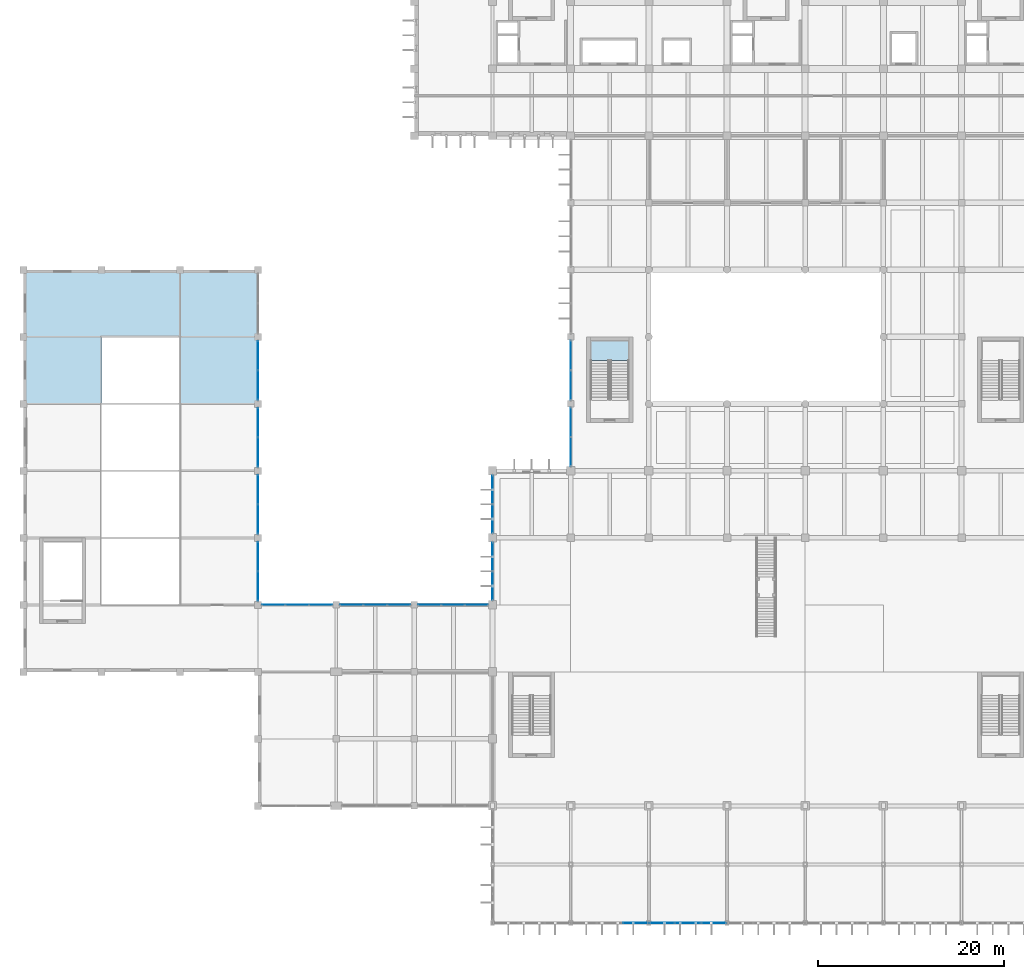
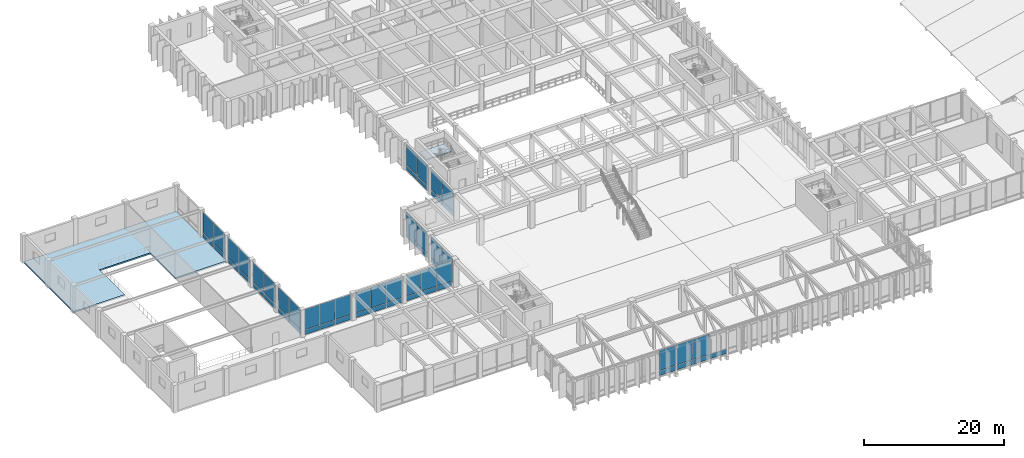
# One storey, part 27 of 51: 57 plates, 2 slabs, 14 elements without a shape of their own.
"""IFC4 building model written with IfcOpenShell, lengths in metres."""

import ifcopenshell
import ifcopenshell.guid

model = None  # the IFC model being written
_history = None  # IfcOwnerHistory: only IFC2X3 demands one
_inside = {}  # id of a spatial element -> (the spatial element, [elements in it])
_under = {}  # id of a project, library or spatial element -> (it, [spatial elements below it])
_declared = {}  # id of a project -> (the project, [libraries it declares])
_typed = {}  # id of a type object -> (the type object, [elements of that type])
_made_of = {}  # id of a material, layer set ... -> (it, [elements and type objects made of it])


def new_model(schema):
    """Start an empty IFC model of exactly this schema.

    Asked for "IFC4X3", IfcOpenShell would pick the latest addendum, in which some entities
    have other attributes; the version numbers below select the first issue.
    IFC2X3 requires an IfcOwnerHistory on every rooted entity: one is made here for all.
    """
    global model, _history
    if schema == "IFC4X3":
        model = ifcopenshell.file(schema_version=(4, 3, 0, 0))
    else:
        model = ifcopenshell.file(schema=schema)
    _inside.clear()
    _under.clear()
    _declared.clear()
    _typed.clear()
    _made_of.clear()
    _history = None
    if model.schema == "IFC2X3":
        org = make("IfcOrganization", Name="unknown")
        user = make(
            "IfcPersonAndOrganization",
            ThePerson=make("IfcPerson", FamilyName="unknown"),
            TheOrganization=org,
        )
        app = make(
            "IfcApplication",
            ApplicationDeveloper=org,
            Version="unknown",
            ApplicationFullName="unknown",
            ApplicationIdentifier="unknown",
        )
        _history = make(
            "IfcOwnerHistory",
            OwningUser=user,
            OwningApplication=app,
            ChangeAction="ADDED",
            CreationDate=0,
        )
    return model


def make(cls, **values):
    """One entity of the class cls with the attributes given. An attribute that is None is left unset."""
    return model.create_entity(
        cls, **{name: value for name, value in values.items() if value is not None}
    )


def rooted(cls, **values):
    """An entity with a GlobalId (a new one), such as an element, a storey or a relation."""
    return make(cls, GlobalId=ifcopenshell.guid.new(), OwnerHistory=_history, **values)


def si_unit(unit_type, name, prefix=None):
    """IfcSIUnit, for example si_unit("LENGTHUNIT", "METRE", prefix="MILLI")."""
    return make("IfcSIUnit", UnitType=unit_type, Prefix=prefix, Name=name)


def assignment(units):
    """IfcUnitAssignment: the units of a project."""
    return None if units is None else make("IfcUnitAssignment", Units=units)


def point(xyz):
    """IfcCartesianPoint."""
    return None if xyz is None else make("IfcCartesianPoint", Coordinates=xyz)


def direction(xyz):
    """IfcDirection."""
    return None if xyz is None else make("IfcDirection", DirectionRatios=xyz)


def frame(location, z_axis=None, x_axis=None):
    """IfcAxis2Placement3D, a coordinate frame: its origin and axes. An axis left out is left unset."""
    return make(
        "IfcAxis2Placement3D",
        Location=point(location),
        Axis=direction(z_axis),
        RefDirection=direction(x_axis),
    )


def frame_2d(location, x_axis=None):
    """IfcAxis2Placement2D, a coordinate frame in the plane: its origin and x axis."""
    return make(
        "IfcAxis2Placement2D", Location=point(location), RefDirection=direction(x_axis)
    )


def origin():
    """The frame at (0, 0, 0) with its axes left unset."""
    return frame((0.0, 0.0, 0.0))


def origin_2d():
    """The frame at (0, 0) in the plane with its x axis left unset."""
    return frame_2d((0.0, 0.0))


def place(relative_to, where):
    """IfcLocalPlacement: puts the frame where relative to a parent placement (None: the world)."""
    return make(
        "IfcLocalPlacement", PlacementRelTo=relative_to, RelativePlacement=where
    )


def context(
    kind, dimensions, precision=None, world=None, true_north=None, identifier=None
):
    """IfcGeometricRepresentationContext, for example the 3D "Model" context."""
    return make(
        "IfcGeometricRepresentationContext",
        ContextIdentifier=identifier,
        ContextType=kind,
        CoordinateSpaceDimension=dimensions,
        Precision=precision,
        WorldCoordinateSystem=world,
        TrueNorth=true_north,
    )


def subcontext(parent, identifier, kind, view, scale=None):
    """IfcGeometricRepresentationSubContext, for example "Body" below "Model"."""
    return make(
        "IfcGeometricRepresentationSubContext",
        ContextIdentifier=identifier,
        ContextType=kind,
        ParentContext=parent,
        TargetScale=scale,
        TargetView=view,
    )


def project(units=None, contexts=None):
    """IfcProject with its units and contexts."""
    return rooted(
        "IfcProject",
        Name="project",
        RepresentationContexts=contexts,
        UnitsInContext=assignment(units),
    )


def spatial(cls, under=None, at=None, **own):
    """A site, building, storey or space (cls), placed at a placement, below another one or the project."""
    s = rooted(cls, ObjectPlacement=at, **own)
    if under is not None:
        _under.setdefault(under.id(), (under, []))[1].append(s)
    return s


def polyline(points):
    """IfcPolyline through the points."""
    return make("IfcPolyline", Points=[point(p) for p in points])


def profile(cls, at=None, kind="AREA", **sizes):
    """A parametric profile (cls). Its sizes go by their IFC names, for example OverallWidth=200.0."""
    return make(cls, ProfileType=kind, Position=at, **sizes)


def rectangle(**sizes):
    """IfcRectangleProfileDef."""
    return profile("IfcRectangleProfileDef", **sizes)


def outline(outer, holes=None, kind="AREA"):
    """IfcArbitraryClosedProfileDef: a profile drawn as a closed curve; with holes, ...WithVoids."""
    if holes is None:
        return make("IfcArbitraryClosedProfileDef", ProfileType=kind, OuterCurve=outer)
    return make(
        "IfcArbitraryProfileDefWithVoids",
        ProfileType=kind,
        OuterCurve=outer,
        InnerCurves=holes,
    )


def extrude(swept, where, along, depth):
    """IfcExtrudedAreaSolid: the profile swept, set in the frame where, extruded along a direction by depth."""
    return make(
        "IfcExtrudedAreaSolid",
        SweptArea=swept,
        Position=where,
        ExtrudedDirection=direction(along),
        Depth=depth,
    )


def shape(context_of_items, identifier, shape_type, items):
    """IfcShapeRepresentation: the items that make up one representation, for example the "Body"."""
    return make(
        "IfcShapeRepresentation",
        ContextOfItems=context_of_items,
        RepresentationIdentifier=identifier,
        RepresentationType=shape_type,
        Items=items,
    )


def material(Name=None, Category=None):
    """IfcMaterial."""
    return make("IfcMaterial", Name=Name, Category=Category)


def layer(
    of_material, thickness, ventilated=None, Name=None, Category=None, Priority=None
):
    """IfcMaterialLayer: one layer of a wall or slab, of a material (None: an air gap)."""
    return make(
        "IfcMaterialLayer",
        Material=of_material,
        LayerThickness=thickness,
        IsVentilated=ventilated,
        Name=Name,
        Category=Category,
        Priority=Priority,
    )


def layer_set(layers, Name=None):
    """IfcMaterialLayerSet."""
    return make("IfcMaterialLayerSet", MaterialLayers=layers, LayerSetName=Name)


def made_of(thing, what):
    """Note that an element or type object is made of a material, layer set ...; save() writes the relation."""
    if what is not None:
        _made_of.setdefault(what.id(), (what, []))[1].append(thing)
    return thing


def type_object(cls, material=None, **own):
    """A type object (cls), such as IfcWallType, which elements share."""
    return made_of(rooted(cls, **own), material)


def element(
    cls,
    number,
    at=None,
    inside=None,
    cuts=None,
    type_object=None,
    material=None,
    context=None,
    identifier="Body",
    shape_type=None,
    held_by="IfcProductDefinitionShape",
    body=None,
    shapes=None,
    **own,
):
    """One element of the class cls, such as IfcWall. Its Tag is "e" and its number.

    at: its placement. inside: the storey or other place that contains it. cuts: it is an
    opening in that element (IfcRelVoidsElement). A single representation is given by context,
    identifier, shape_type and body (its items); several are given by shapes. held_by: the class
    of the entity that holds the representations. save() writes the other relations.
    """
    e = rooted(cls, Tag="e%d" % number, ObjectPlacement=at, **own)
    if body is not None:
        shapes = [shape(context, identifier, shape_type, body)]
    if shapes is not None:
        e.Representation = make(held_by, Representations=shapes)
    if inside is not None:
        _inside.setdefault(inside.id(), (inside, []))[1].append(e)
    if cuts is not None:
        rooted(
            "IfcRelVoidsElement", RelatingBuildingElement=cuts, RelatedOpeningElement=e
        )
    if type_object is not None:
        _typed.setdefault(type_object.id(), (type_object, []))[1].append(e)
    return made_of(e, material)


def aggregate(whole, parts):
    """IfcRelAggregates: a whole, such as a stair, and the parts it consists of."""
    return rooted("IfcRelAggregates", RelatingObject=whole, RelatedObjects=parts)


def save(model, path):
    """Write the relations noted so far, then the file.

    IfcRelAggregates (storeys below a building ...), IfcRelContainedInSpatialStructure (elements
    in a storey), IfcRelDefinesByType, IfcRelAssociatesMaterial and IfcRelDeclares: one each for
    every whole, place, type object, material and project.
    """
    for whole, parts in _under.values():
        aggregate(whole, parts)
    for where, things in _inside.values():
        rooted(
            "IfcRelContainedInSpatialStructure",
            RelatedElements=things,
            RelatingStructure=where,
        )
    for kind, things in _typed.values():
        rooted("IfcRelDefinesByType", RelatedObjects=things, RelatingType=kind)
    for what, things in _made_of.values():
        rooted("IfcRelAssociatesMaterial", RelatedObjects=things, RelatingMaterial=what)
    for by, libraries in _declared.values():
        rooted("IfcRelDeclares", RelatingContext=by, RelatedDefinitions=libraries)
    model.write(path)


model = new_model("IFC4")

# Units and contexts
model_context = context("Model", 3, precision=1e-05, world=origin(), true_north=direction((0.0, 1.0)))
body_context = subcontext(model_context, "Body", "Model", "MODEL_VIEW")
ifc_project = project(units=[si_unit("LENGTHUNIT", "METRE"), si_unit("AREAUNIT", "SQUARE_METRE"), si_unit("VOLUMEUNIT", "CUBIC_METRE"), si_unit("PLANEANGLEUNIT", "RADIAN"), si_unit("MASSUNIT", "GRAM", prefix="KILO")], contexts=[model_context])

# Site, building, storey
site_placement = place(None, origin())
site = spatial("IfcSite", under=ifc_project, at=site_placement, CompositionType="ELEMENT")
building_placement = place(site_placement, origin())
building = spatial("IfcBuilding", under=site, at=building_placement, Name="Kenerak Square Central Library", CompositionType="ELEMENT")
storey_placement = place(building_placement, frame((0.0, 0.0, 9.60009765625)))
storey = spatial("IfcBuildingStorey", under=building, at=storey_placement, Name="L02", CompositionType="ELEMENT", Elevation=9.60009765625)

# Curtain wall, plates
ifc_material_1 = material(Name="Anodised aluminium and solar-control low-E glazing", Category="aluminium")
curtain_wall_type_1 = type_object("IfcCurtainWallType", Name="Curtain Wall CW-V3-64x45 6450x4550", PredefinedType="USERDEFINED", material=ifc_material_1)
curtain_wall_1_placement = place(storey_placement, origin())
curtain_wall_1 = element("IfcCurtainWall", 1, at=curtain_wall_1_placement, inside=storey, type_object=curtain_wall_type_1, Name="Curtain Wall CW-V3-64x45 L02 0068", ObjectType="CURTAIN WALL", PredefinedType="USERDEFINED")
ifc_material_2 = material(Name="Acoustic solar-control low-E double glazing", Category="glass")
ifc_layer_1 = layer(ifc_material_2, 0.028076171875)
ifc_layer_set_1 = layer_set([ifc_layer_1], Name="Acoustic solar-control low-E double glazing")
plate_type_1 = type_object("IfcPlateType", Name="Acoustic Laminated Curtain Panel CP-28", PredefinedType="CURTAIN_PANEL", material=ifc_layer_set_1)
plate_1_placement = place(storey_placement, frame((33.199951171875, 65.1923828125, 0.080078125), z_axis=(0.0, 0.0, 1.0), x_axis=(0.0, -1.0, 0.0)))
plate_1 = element("IfcPlate", 2, at=plate_1_placement, type_object=plate_type_1, Name="CW-V3-64x45 Panel 1.1", PredefinedType="CURTAIN_PANEL", context=body_context, shape_type="SweptSolid", body=[
    extrude(rectangle(XDim=3.10498046875, YDim=0.028076171875, at=origin_2d()), origin(), (0.0, 0.0, 1.0), 0.780029296875),
])
plate_2_placement = place(storey_placement, frame((33.199951171875, 65.1923828125, 0.93994140625), z_axis=(0.0, 0.0, 1.0), x_axis=(0.0, -1.0, 0.0)))
plate_2 = element("IfcPlate", 3, at=plate_2_placement, type_object=plate_type_1, Name="CW-V3-64x45 Panel 1.2", PredefinedType="CURTAIN_PANEL", context=body_context, shape_type="SweptSolid", body=[
    extrude(rectangle(XDim=3.10498046875, YDim=0.028076171875, at=origin_2d()), origin(), (0.0, 0.0, 1.0), 3.530029296875),
])
plate_3_placement = place(storey_placement, frame((33.199951171875, 62.007568359375, 0.080078125), z_axis=(0.0, 0.0, 1.0), x_axis=(0.0, -1.0, 0.0)))
plate_3 = element("IfcPlate", 4, at=plate_3_placement, type_object=plate_type_1, Name="CW-V3-64x45 Panel 2.1", PredefinedType="CURTAIN_PANEL", context=body_context, shape_type="SweptSolid", body=[
    extrude(rectangle(XDim=3.10498046875, YDim=0.028076171875, at=origin_2d()), origin(), (0.0, 0.0, 1.0), 0.780029296875),
])
plate_4_placement = place(storey_placement, frame((33.199951171875, 62.007568359375, 0.93994140625), z_axis=(0.0, 0.0, 1.0), x_axis=(0.0, -1.0, 0.0)))
plate_4 = element("IfcPlate", 5, at=plate_4_placement, type_object=plate_type_1, Name="CW-V3-64x45 Panel 2.2", PredefinedType="CURTAIN_PANEL", context=body_context, shape_type="SweptSolid", body=[
    extrude(rectangle(XDim=3.10498046875, YDim=0.028076171875, at=origin_2d()), origin(), (0.0, 0.0, 1.0), 3.530029296875),
])
aggregate(curtain_wall_1, [plate_1, plate_2, plate_3, plate_4])

curtain_wall_2_placement = place(storey_placement, origin())
curtain_wall_2 = element("IfcCurtainWall", 6, at=curtain_wall_2_placement, inside=storey, type_object=curtain_wall_type_1, Name="Curtain Wall CW-V3-64x45 L02 0069", ObjectType="CURTAIN WALL", PredefinedType="USERDEFINED")
plate_5_placement = place(storey_placement, frame((33.199951171875, 57.992431640625, 0.080078125), z_axis=(0.0, 0.0, 1.0), x_axis=(0.0, -1.0, 0.0)))
plate_5 = element("IfcPlate", 7, at=plate_5_placement, type_object=plate_type_1, Name="CW-V3-64x45 Panel 1.1", PredefinedType="CURTAIN_PANEL", context=body_context, shape_type="SweptSolid", body=[
    extrude(rectangle(XDim=3.10498046875, YDim=0.028076171875, at=origin_2d()), origin(), (0.0, 0.0, 1.0), 0.780029296875),
])
plate_6_placement = place(storey_placement, frame((33.199951171875, 57.992431640625, 0.93994140625), z_axis=(0.0, 0.0, 1.0), x_axis=(0.0, -1.0, 0.0)))
plate_6 = element("IfcPlate", 8, at=plate_6_placement, type_object=plate_type_1, Name="CW-V3-64x45 Panel 1.2", PredefinedType="CURTAIN_PANEL", context=body_context, shape_type="SweptSolid", body=[
    extrude(rectangle(XDim=3.10498046875, YDim=0.028076171875, at=origin_2d()), origin(), (0.0, 0.0, 1.0), 3.530029296875),
])
plate_7_placement = place(storey_placement, frame((33.199951171875, 54.8076171875, 0.080078125), z_axis=(0.0, 0.0, 1.0), x_axis=(0.0, -1.0, 0.0)))
plate_7 = element("IfcPlate", 9, at=plate_7_placement, type_object=plate_type_1, Name="CW-V3-64x45 Panel 2.1", PredefinedType="CURTAIN_PANEL", context=body_context, shape_type="SweptSolid", body=[
    extrude(rectangle(XDim=3.10498046875, YDim=0.028076171875, at=origin_2d()), origin(), (0.0, 0.0, 1.0), 0.780029296875),
])
plate_8_placement = place(storey_placement, frame((33.199951171875, 54.8076171875, 0.93994140625), z_axis=(0.0, 0.0, 1.0), x_axis=(0.0, -1.0, 0.0)))
plate_8 = element("IfcPlate", 10, at=plate_8_placement, type_object=plate_type_1, Name="CW-V3-64x45 Panel 2.2", PredefinedType="CURTAIN_PANEL", context=body_context, shape_type="SweptSolid", body=[
    extrude(rectangle(XDim=3.10498046875, YDim=0.028076171875, at=origin_2d()), origin(), (0.0, 0.0, 1.0), 3.530029296875),
])
aggregate(curtain_wall_2, [plate_5, plate_6, plate_7, plate_8])

curtain_wall_3_placement = place(storey_placement, origin())
curtain_wall_3 = element("IfcCurtainWall", 11, at=curtain_wall_3_placement, inside=storey, type_object=curtain_wall_type_1, Name="Curtain Wall CW-V3-64x45 L02 0070", ObjectType="CURTAIN WALL", PredefinedType="USERDEFINED")
plate_9_placement = place(storey_placement, frame((33.199951171875, 50.79248046875, 0.080078125), z_axis=(0.0, 0.0, 1.0), x_axis=(0.0, -1.0, 0.0)))
plate_9 = element("IfcPlate", 12, at=plate_9_placement, type_object=plate_type_1, Name="CW-V3-64x45 Panel 1.1", PredefinedType="CURTAIN_PANEL", context=body_context, shape_type="SweptSolid", body=[
    extrude(rectangle(XDim=3.10498046875, YDim=0.028076171875, at=origin_2d()), origin(), (0.0, 0.0, 1.0), 0.780029296875),
])
plate_10_placement = place(storey_placement, frame((33.199951171875, 50.79248046875, 0.93994140625), z_axis=(0.0, 0.0, 1.0), x_axis=(0.0, -1.0, 0.0)))
plate_10 = element("IfcPlate", 13, at=plate_10_placement, type_object=plate_type_1, Name="CW-V3-64x45 Panel 1.2", PredefinedType="CURTAIN_PANEL", context=body_context, shape_type="SweptSolid", body=[
    extrude(rectangle(XDim=3.10498046875, YDim=0.028076171875, at=origin_2d()), origin(), (0.0, 0.0, 1.0), 3.530029296875),
])
plate_11_placement = place(storey_placement, frame((33.199951171875, 47.607421875, 0.080078125), z_axis=(0.0, 0.0, 1.0), x_axis=(0.0, -1.0, 0.0)))
plate_11 = element("IfcPlate", 14, at=plate_11_placement, type_object=plate_type_1, Name="CW-V3-64x45 Panel 2.1", PredefinedType="CURTAIN_PANEL", context=body_context, shape_type="SweptSolid", body=[
    extrude(rectangle(XDim=3.10498046875, YDim=0.028076171875, at=origin_2d()), origin(), (0.0, 0.0, 1.0), 0.780029296875),
])
plate_12_placement = place(storey_placement, frame((33.199951171875, 47.607421875, 0.93994140625), z_axis=(0.0, 0.0, 1.0), x_axis=(0.0, -1.0, 0.0)))
plate_12 = element("IfcPlate", 15, at=plate_12_placement, type_object=plate_type_1, Name="CW-V3-64x45 Panel 2.2", PredefinedType="CURTAIN_PANEL", context=body_context, shape_type="SweptSolid", body=[
    extrude(rectangle(XDim=3.10498046875, YDim=0.028076171875, at=origin_2d()), origin(), (0.0, 0.0, 1.0), 3.530029296875),
])
aggregate(curtain_wall_3, [plate_9, plate_10, plate_11, plate_12])

curtain_wall_4_placement = place(storey_placement, origin())
curtain_wall_4 = element("IfcCurtainWall", 16, at=curtain_wall_4_placement, inside=storey, type_object=curtain_wall_type_1, Name="Curtain Wall CW-V3-64x45 L02 0071", ObjectType="CURTAIN WALL", PredefinedType="USERDEFINED")
plate_13_placement = place(storey_placement, frame((33.199951171875, 43.592529296875, 0.080078125), z_axis=(0.0, 0.0, 1.0), x_axis=(0.0, -1.0, 0.0)))
plate_13 = element("IfcPlate", 17, at=plate_13_placement, type_object=plate_type_1, Name="CW-V3-64x45 Panel 1.1", PredefinedType="CURTAIN_PANEL", context=body_context, shape_type="SweptSolid", body=[
    extrude(rectangle(XDim=3.10498046875, YDim=0.028076171875, at=origin_2d()), origin(), (0.0, 0.0, 1.0), 0.780029296875),
])
plate_14_placement = place(storey_placement, frame((33.199951171875, 43.592529296875, 0.93994140625), z_axis=(0.0, 0.0, 1.0), x_axis=(0.0, -1.0, 0.0)))
plate_14 = element("IfcPlate", 18, at=plate_14_placement, type_object=plate_type_1, Name="CW-V3-64x45 Panel 1.2", PredefinedType="CURTAIN_PANEL", context=body_context, shape_type="SweptSolid", body=[
    extrude(rectangle(XDim=3.10498046875, YDim=0.028076171875, at=origin_2d()), origin(), (0.0, 0.0, 1.0), 3.530029296875),
])
plate_15_placement = place(storey_placement, frame((33.199951171875, 40.407470703125, 0.080078125), z_axis=(0.0, 0.0, 1.0), x_axis=(0.0, -1.0, 0.0)))
plate_15 = element("IfcPlate", 19, at=plate_15_placement, type_object=plate_type_1, Name="CW-V3-64x45 Panel 2.1", PredefinedType="CURTAIN_PANEL", context=body_context, shape_type="SweptSolid", body=[
    extrude(rectangle(XDim=3.10498046875, YDim=0.028076171875, at=origin_2d()), origin(), (0.0, 0.0, 1.0), 0.780029296875),
])
plate_16_placement = place(storey_placement, frame((33.199951171875, 40.407470703125, 0.93994140625), z_axis=(0.0, 0.0, 1.0), x_axis=(0.0, -1.0, 0.0)))
plate_16 = element("IfcPlate", 20, at=plate_16_placement, type_object=plate_type_1, Name="CW-V3-64x45 Panel 2.2", PredefinedType="CURTAIN_PANEL", context=body_context, shape_type="SweptSolid", body=[
    extrude(rectangle(XDim=3.10498046875, YDim=0.028076171875, at=origin_2d()), origin(), (0.0, 0.0, 1.0), 3.530029296875),
])
aggregate(curtain_wall_4, [plate_13, plate_14, plate_15, plate_16])

# Slab
ifc_material_3 = material(Name="Concrete C40/50", Category="concrete")
ifc_layer_2 = layer(ifc_material_3, 0.25)
ifc_layer_set_2 = layer_set([ifc_layer_2], Name="Concrete C40/50")
slab_type_1 = type_object("IfcSlabType", Name="Auditorium and Foyer Concourse Slab FS-250 C40/50", PredefinedType="FLOOR", material=ifc_layer_set_2)
slab_1_placement = place(storey_placement, frame((0.0, 0.0, -0.25)))
element("IfcSlab", 21, at=slab_1_placement, inside=storey, type_object=slab_type_1, Name="V3 Floor Slab L02 035", PredefinedType="FLOOR", context=body_context, shape_type="SweptSolid", body=[
    extrude(outline(polyline([(8.0, 74.39990234375), (33.199951171875, 74.39990234375), (33.199951171875, 60.0), (24.800048828125, 60.0), (24.800048828125, 67.199951171875), (16.39990234375, 67.199951171875), (16.39990234375, 60.0), (8.0, 60.0), (8.0, 74.39990234375)])), origin(), (0.0, 0.0, 1.0), 0.25),
])

# Curtain wall, plates
curtain_wall_type_2 = type_object("IfcCurtainWallType", Name="Curtain Wall CW-V6-76x45 7675x4550", PredefinedType="USERDEFINED", material=ifc_material_1)
curtain_wall_5_placement = place(storey_placement, origin())
curtain_wall_5 = element("IfcCurtainWall", 22, at=curtain_wall_5_placement, inside=storey, type_object=curtain_wall_type_2, Name="Curtain Wall CW-V6-76x45 L02 0072", ObjectType="CURTAIN WALL", PredefinedType="USERDEFINED")
ifc_material_4 = material(Name="Solar-control low-E laminated double glazing", Category="glass")
ifc_layer_3 = layer(ifc_material_4, 0.02392578125)
ifc_layer_set_3 = layer_set([ifc_layer_3], Name="Solar-control low-E laminated double glazing")
plate_type_2 = type_object("IfcPlateType", Name="Low-E Double Glazed Curtain Panel CP-24", PredefinedType="CURTAIN_PANEL", material=ifc_layer_set_3)
plate_17_placement = place(storey_placement, frame((34.870361328125, 38.39990234375, 0.06494140625), z_axis=(0.0, 0.0, 1.0), x_axis=(1.0, 0.0, 0.0)))
plate_17 = element("IfcPlate", 23, at=plate_17_placement, type_object=plate_type_2, Name="CW-V6-76x45 Panel 1.1", PredefinedType="CURTAIN_PANEL", context=body_context, shape_type="SweptSolid", body=[
    extrude(rectangle(XDim=2.4609375, YDim=0.02392578125, at=origin_2d()), origin(), (0.0, 0.0, 1.0), 0.802490234375),
])
plate_18_placement = place(storey_placement, frame((34.870361328125, 38.39990234375, 0.9326171875), z_axis=(0.0, 0.0, 1.0), x_axis=(1.0, 0.0, 0.0)))
plate_18 = element("IfcPlate", 24, at=plate_18_placement, type_object=plate_type_2, Name="CW-V6-76x45 Panel 1.2", PredefinedType="CURTAIN_PANEL", context=body_context, shape_type="SweptSolid", body=[
    extrude(rectangle(XDim=2.4609375, YDim=0.02392578125, at=origin_2d()), origin(), (0.0, 0.0, 1.0), 3.552490234375),
])
plate_19_placement = place(storey_placement, frame((37.41259765625, 38.39990234375, 0.06494140625), z_axis=(0.0, 0.0, 1.0), x_axis=(1.0, 0.0, 0.0)))
plate_19 = element("IfcPlate", 25, at=plate_19_placement, type_object=plate_type_2, Name="CW-V6-76x45 Panel 2.1", PredefinedType="CURTAIN_PANEL", context=body_context, shape_type="SweptSolid", body=[
    extrude(rectangle(XDim=2.493408203125, YDim=0.02392578125, at=origin_2d()), origin(), (0.0, 0.0, 1.0), 0.802490234375),
])
plate_20_placement = place(storey_placement, frame((37.41259765625, 38.39990234375, 0.9326171875), z_axis=(0.0, 0.0, 1.0), x_axis=(1.0, 0.0, 0.0)))
plate_20 = element("IfcPlate", 26, at=plate_20_placement, type_object=plate_type_2, Name="CW-V6-76x45 Panel 2.2", PredefinedType="CURTAIN_PANEL", context=body_context, shape_type="SweptSolid", body=[
    extrude(rectangle(XDim=2.493408203125, YDim=0.02392578125, at=origin_2d()), origin(), (0.0, 0.0, 1.0), 3.552490234375),
])
plate_21_placement = place(storey_placement, frame((39.95458984375, 38.39990234375, 0.06494140625), z_axis=(0.0, 0.0, 1.0), x_axis=(1.0, 0.0, 0.0)))
plate_21 = element("IfcPlate", 27, at=plate_21_placement, type_object=plate_type_2, Name="CW-V6-76x45 Panel 3.1", PredefinedType="CURTAIN_PANEL", context=body_context, shape_type="SweptSolid", body=[
    extrude(rectangle(XDim=2.4609375, YDim=0.02392578125, at=origin_2d()), origin(), (0.0, 0.0, 1.0), 0.802490234375),
])
plate_22_placement = place(storey_placement, frame((39.95458984375, 38.39990234375, 0.9326171875), z_axis=(0.0, 0.0, 1.0), x_axis=(1.0, 0.0, 0.0)))
plate_22 = element("IfcPlate", 28, at=plate_22_placement, type_object=plate_type_2, Name="CW-V6-76x45 Panel 3.2", PredefinedType="CURTAIN_PANEL", context=body_context, shape_type="SweptSolid", body=[
    extrude(rectangle(XDim=2.4609375, YDim=0.02392578125, at=origin_2d()), origin(), (0.0, 0.0, 1.0), 3.552490234375),
])
aggregate(curtain_wall_5, [plate_17, plate_18, plate_19, plate_20, plate_21, plate_22])

curtain_wall_type_3 = type_object("IfcCurtainWallType", Name="Curtain Wall CW-V6-77x45 7700x4550", PredefinedType="USERDEFINED", material=ifc_material_1)
curtain_wall_6_placement = place(storey_placement, origin())
curtain_wall_6 = element("IfcCurtainWall", 29, at=curtain_wall_6_placement, inside=storey, type_object=curtain_wall_type_3, Name="Curtain Wall CW-V6-77x45 L02 0073", ObjectType="CURTAIN WALL", PredefinedType="USERDEFINED")
plate_23_placement = place(storey_placement, frame((43.24951171875, 38.39990234375, 0.06494140625), z_axis=(0.0, 0.0, 1.0), x_axis=(1.0, 0.0, 0.0)))
plate_23 = element("IfcPlate", 30, at=plate_23_placement, type_object=plate_type_2, Name="CW-V6-77x45 Panel 1.1", PredefinedType="CURTAIN_PANEL", context=body_context, shape_type="SweptSolid", body=[
    extrude(rectangle(XDim=2.46923828125, YDim=0.02392578125, at=origin_2d()), origin(), (0.0, 0.0, 1.0), 0.802490234375),
])
plate_24_placement = place(storey_placement, frame((43.24951171875, 38.39990234375, 0.9326171875), z_axis=(0.0, 0.0, 1.0), x_axis=(1.0, 0.0, 0.0)))
plate_24 = element("IfcPlate", 31, at=plate_24_placement, type_object=plate_type_2, Name="CW-V6-77x45 Panel 1.2", PredefinedType="CURTAIN_PANEL", context=body_context, shape_type="SweptSolid", body=[
    extrude(rectangle(XDim=2.46923828125, YDim=0.02392578125, at=origin_2d()), origin(), (0.0, 0.0, 1.0), 3.552490234375),
])
plate_25_placement = place(storey_placement, frame((45.800048828125, 38.39990234375, 0.06494140625), z_axis=(0.0, 0.0, 1.0), x_axis=(1.0, 0.0, 0.0)))
plate_25 = element("IfcPlate", 32, at=plate_25_placement, type_object=plate_type_2, Name="CW-V6-77x45 Panel 2.1", PredefinedType="CURTAIN_PANEL", context=body_context, shape_type="SweptSolid", body=[
    extrude(rectangle(XDim=2.501708984375, YDim=0.02392578125, at=origin_2d()), origin(), (0.0, 0.0, 1.0), 0.802490234375),
])
plate_26_placement = place(storey_placement, frame((45.800048828125, 38.39990234375, 0.9326171875), z_axis=(0.0, 0.0, 1.0), x_axis=(1.0, 0.0, 0.0)))
plate_26 = element("IfcPlate", 33, at=plate_26_placement, type_object=plate_type_2, Name="CW-V6-77x45 Panel 2.2", PredefinedType="CURTAIN_PANEL", context=body_context, shape_type="SweptSolid", body=[
    extrude(rectangle(XDim=2.501708984375, YDim=0.02392578125, at=origin_2d()), origin(), (0.0, 0.0, 1.0), 3.552490234375),
])
plate_27_placement = place(storey_placement, frame((48.350341796875, 38.39990234375, 0.06494140625), z_axis=(0.0, 0.0, 1.0), x_axis=(1.0, 0.0, 0.0)))
plate_27 = element("IfcPlate", 34, at=plate_27_placement, type_object=plate_type_2, Name="CW-V6-77x45 Panel 3.1", PredefinedType="CURTAIN_PANEL", context=body_context, shape_type="SweptSolid", body=[
    extrude(rectangle(XDim=2.46923828125, YDim=0.02392578125, at=origin_2d()), origin(), (0.0, 0.0, 1.0), 0.802490234375),
])
plate_28_placement = place(storey_placement, frame((48.350341796875, 38.39990234375, 0.9326171875), z_axis=(0.0, 0.0, 1.0), x_axis=(1.0, 0.0, 0.0)))
plate_28 = element("IfcPlate", 35, at=plate_28_placement, type_object=plate_type_2, Name="CW-V6-77x45 Panel 3.2", PredefinedType="CURTAIN_PANEL", context=body_context, shape_type="SweptSolid", body=[
    extrude(rectangle(XDim=2.46923828125, YDim=0.02392578125, at=origin_2d()), origin(), (0.0, 0.0, 1.0), 3.552490234375),
])
aggregate(curtain_wall_6, [plate_23, plate_24, plate_25, plate_26, plate_27, plate_28])

curtain_wall_type_4 = type_object("IfcCurtainWallType", Name="Curtain Wall CW-V6-76x45 7600x4550", PredefinedType="USERDEFINED", material=ifc_material_1)
curtain_wall_7_placement = place(storey_placement, origin())
curtain_wall_7 = element("IfcCurtainWall", 36, at=curtain_wall_7_placement, inside=storey, type_object=curtain_wall_type_4, Name="Curtain Wall CW-V6-76x45 L02 0074", ObjectType="CURTAIN WALL", PredefinedType="USERDEFINED")
plate_29_placement = place(storey_placement, frame((51.6328125, 38.39990234375, 0.06494140625), z_axis=(0.0, 0.0, 1.0), x_axis=(1.0, 0.0, 0.0)))
plate_29 = element("IfcPlate", 37, at=plate_29_placement, type_object=plate_type_2, Name="CW-V6-76x45 Panel 1.1", PredefinedType="CURTAIN_PANEL", context=body_context, shape_type="SweptSolid", body=[
    extrude(rectangle(XDim=2.435791015625, YDim=0.02392578125, at=origin_2d()), origin(), (0.0, 0.0, 1.0), 0.802490234375),
])
plate_30_placement = place(storey_placement, frame((51.6328125, 38.39990234375, 0.9326171875), z_axis=(0.0, 0.0, 1.0), x_axis=(1.0, 0.0, 0.0)))
plate_30 = element("IfcPlate", 38, at=plate_30_placement, type_object=plate_type_2, Name="CW-V6-76x45 Panel 1.2", PredefinedType="CURTAIN_PANEL", context=body_context, shape_type="SweptSolid", body=[
    extrude(rectangle(XDim=2.435791015625, YDim=0.02392578125, at=origin_2d()), origin(), (0.0, 0.0, 1.0), 3.552490234375),
])
plate_31_placement = place(storey_placement, frame((54.14990234375, 38.39990234375, 0.06494140625), z_axis=(0.0, 0.0, 1.0), x_axis=(1.0, 0.0, 0.0)))
plate_31 = element("IfcPlate", 39, at=plate_31_placement, type_object=plate_type_2, Name="CW-V6-76x45 Panel 2.1", PredefinedType="CURTAIN_PANEL", context=body_context, shape_type="SweptSolid", body=[
    extrude(rectangle(XDim=2.46826171875, YDim=0.02392578125, at=origin_2d()), origin(), (0.0, 0.0, 1.0), 0.802490234375),
])
plate_32_placement = place(storey_placement, frame((54.14990234375, 38.39990234375, 0.9326171875), z_axis=(0.0, 0.0, 1.0), x_axis=(1.0, 0.0, 0.0)))
plate_32 = element("IfcPlate", 40, at=plate_32_placement, type_object=plate_type_2, Name="CW-V6-76x45 Panel 2.2", PredefinedType="CURTAIN_PANEL", context=body_context, shape_type="SweptSolid", body=[
    extrude(rectangle(XDim=2.46826171875, YDim=0.02392578125, at=origin_2d()), origin(), (0.0, 0.0, 1.0), 3.552490234375),
])
plate_33_placement = place(storey_placement, frame((56.6669921875, 38.39990234375, 0.06494140625), z_axis=(0.0, 0.0, 1.0), x_axis=(1.0, 0.0, 0.0)))
plate_33 = element("IfcPlate", 41, at=plate_33_placement, type_object=plate_type_2, Name="CW-V6-76x45 Panel 3.1", PredefinedType="CURTAIN_PANEL", context=body_context, shape_type="SweptSolid", body=[
    extrude(rectangle(XDim=2.435791015625, YDim=0.02392578125, at=origin_2d()), origin(), (0.0, 0.0, 1.0), 0.802490234375),
])
plate_34_placement = place(storey_placement, frame((56.6669921875, 38.39990234375, 0.9326171875), z_axis=(0.0, 0.0, 1.0), x_axis=(1.0, 0.0, 0.0)))
plate_34 = element("IfcPlate", 42, at=plate_34_placement, type_object=plate_type_2, Name="CW-V6-76x45 Panel 3.2", PredefinedType="CURTAIN_PANEL", context=body_context, shape_type="SweptSolid", body=[
    extrude(rectangle(XDim=2.435791015625, YDim=0.02392578125, at=origin_2d()), origin(), (0.0, 0.0, 1.0), 3.552490234375),
])
aggregate(curtain_wall_7, [plate_29, plate_30, plate_31, plate_32, plate_33, plate_34])

curtain_wall_type_5 = type_object("IfcCurtainWallType", Name="Curtain Wall CW-V4-64x45 6400x4550", PredefinedType="USERDEFINED", material=ifc_material_1)
curtain_wall_8_placement = place(storey_placement, origin())
curtain_wall_8 = element("IfcCurtainWall", 43, at=curtain_wall_8_placement, inside=storey, type_object=curtain_wall_type_5, Name="Curtain Wall CW-V4-64x45 L02 0077", ObjectType="CURTAIN WALL", PredefinedType="USERDEFINED")
plate_35_placement = place(storey_placement, frame((66.800048828125, 54.8662109375, 0.06494140625), z_axis=(0.0, 0.0, 1.0), x_axis=(0.0, 1.0, 0.0)))
plate_35 = element("IfcPlate", 44, at=plate_35_placement, type_object=plate_type_2, Name="CW-V4-64x45 Panel 1.1", PredefinedType="CURTAIN_PANEL", context=body_context, shape_type="SweptSolid", body=[
    extrude(rectangle(XDim=3.1025390625, YDim=0.02392578125, at=origin_2d()), origin(), (0.0, 0.0, 1.0), 0.802490234375),
])
plate_36_placement = place(storey_placement, frame((66.800048828125, 54.8662109375, 0.9326171875), z_axis=(0.0, 0.0, 1.0), x_axis=(0.0, 1.0, 0.0)))
plate_36 = element("IfcPlate", 45, at=plate_36_placement, type_object=plate_type_2, Name="CW-V4-64x45 Panel 1.2", PredefinedType="CURTAIN_PANEL", context=body_context, shape_type="SweptSolid", body=[
    extrude(rectangle(XDim=3.1025390625, YDim=0.02392578125, at=origin_2d()), origin(), (0.0, 0.0, 1.0), 3.552490234375),
])
plate_37_placement = place(storey_placement, frame((66.800048828125, 58.03369140625, 0.06494140625), z_axis=(0.0, 0.0, 1.0), x_axis=(0.0, 1.0, 0.0)))
plate_37 = element("IfcPlate", 46, at=plate_37_placement, type_object=plate_type_2, Name="CW-V4-64x45 Panel 2.1", PredefinedType="CURTAIN_PANEL", context=body_context, shape_type="SweptSolid", body=[
    extrude(rectangle(XDim=3.1025390625, YDim=0.02392578125, at=origin_2d()), origin(), (0.0, 0.0, 1.0), 0.802490234375),
])
plate_38_placement = place(storey_placement, frame((66.800048828125, 58.03369140625, 0.9326171875), z_axis=(0.0, 0.0, 1.0), x_axis=(0.0, 1.0, 0.0)))
plate_38 = element("IfcPlate", 47, at=plate_38_placement, type_object=plate_type_2, Name="CW-V4-64x45 Panel 2.2", PredefinedType="CURTAIN_PANEL", context=body_context, shape_type="SweptSolid", body=[
    extrude(rectangle(XDim=3.1025390625, YDim=0.02392578125, at=origin_2d()), origin(), (0.0, 0.0, 1.0), 3.552490234375),
])
aggregate(curtain_wall_8, [plate_35, plate_36, plate_37, plate_38])

curtain_wall_type_6 = type_object("IfcCurtainWallType", Name="Curtain Wall CW-V4-65x45 6500x4550", PredefinedType="USERDEFINED", material=ifc_material_1)
curtain_wall_9_placement = place(storey_placement, origin())
curtain_wall_9 = element("IfcCurtainWall", 48, at=curtain_wall_9_placement, inside=storey, type_object=curtain_wall_type_6, Name="Curtain Wall CW-V4-65x45 L02 0078", ObjectType="CURTAIN WALL", PredefinedType="USERDEFINED")
plate_39_placement = place(storey_placement, frame((66.800048828125, 61.9912109375, 0.06494140625), z_axis=(0.0, 0.0, 1.0), x_axis=(0.0, 1.0, 0.0)))
plate_39 = element("IfcPlate", 49, at=plate_39_placement, type_object=plate_type_2, Name="CW-V4-65x45 Panel 1.1", PredefinedType="CURTAIN_PANEL", context=body_context, shape_type="SweptSolid", body=[
    extrude(rectangle(XDim=3.152587890625, YDim=0.02392578125, at=origin_2d()), origin(), (0.0, 0.0, 1.0), 0.802490234375),
])
plate_40_placement = place(storey_placement, frame((66.800048828125, 61.9912109375, 0.9326171875), z_axis=(0.0, 0.0, 1.0), x_axis=(0.0, 1.0, 0.0)))
plate_40 = element("IfcPlate", 50, at=plate_40_placement, type_object=plate_type_2, Name="CW-V4-65x45 Panel 1.2", PredefinedType="CURTAIN_PANEL", context=body_context, shape_type="SweptSolid", body=[
    extrude(rectangle(XDim=3.152587890625, YDim=0.02392578125, at=origin_2d()), origin(), (0.0, 0.0, 1.0), 3.552490234375),
])
plate_41_placement = place(storey_placement, frame((66.800048828125, 65.208740234375, 0.06494140625), z_axis=(0.0, 0.0, 1.0), x_axis=(0.0, 1.0, 0.0)))
plate_41 = element("IfcPlate", 51, at=plate_41_placement, type_object=plate_type_2, Name="CW-V4-65x45 Panel 2.1", PredefinedType="CURTAIN_PANEL", context=body_context, shape_type="SweptSolid", body=[
    extrude(rectangle(XDim=3.152587890625, YDim=0.02392578125, at=origin_2d()), origin(), (0.0, 0.0, 1.0), 0.802490234375),
])
plate_42_placement = place(storey_placement, frame((66.800048828125, 65.208740234375, 0.9326171875), z_axis=(0.0, 0.0, 1.0), x_axis=(0.0, 1.0, 0.0)))
plate_42 = element("IfcPlate", 52, at=plate_42_placement, type_object=plate_type_2, Name="CW-V4-65x45 Panel 2.2", PredefinedType="CURTAIN_PANEL", context=body_context, shape_type="SweptSolid", body=[
    extrude(rectangle(XDim=3.152587890625, YDim=0.02392578125, at=origin_2d()), origin(), (0.0, 0.0, 1.0), 3.552490234375),
])
aggregate(curtain_wall_9, [plate_39, plate_40, plate_41, plate_42])

# Stair, slab
stair_type = type_object("IfcStairType", Name="Exit Dogleg Stair ST-480 C40/50", PredefinedType="HALF_TURN_STAIR", material=ifc_material_3)
stair_placement = place(storey_placement, origin())
stair = element("IfcStair", 53, at=stair_placement, inside=storey, type_object=stair_type, Name="L02 Protected Exit Stair ST-08", PredefinedType="HALF_TURN_STAIR")
ifc_layer_4 = layer(ifc_material_3, 0.199951171875)
ifc_layer_set_4 = layer_set([ifc_layer_4], Name="Concrete C40/50")
slab_type_2 = type_object("IfcSlabType", Name="Stair Half-Landing Slab LD-200 C40/50", PredefinedType="LANDING", material=ifc_layer_set_4)
slab_2_placement = place(storey_placement, frame((0.0, 0.0, 2.199951171875)))
slab_2 = element("IfcSlab", 54, at=slab_2_placement, type_object=slab_type_2, Name="ST-08 Landing 1", PredefinedType="LANDING", context=body_context, shape_type="SweptSolid", body=[
    extrude(outline(polyline([(73.080078125, 64.64990234375), (73.080078125, 66.800048828125), (68.919921875, 66.800048828125), (68.919921875, 64.64990234375), (73.080078125, 64.64990234375)])), origin(), (0.0, 0.0, 1.0), 0.199951171875),
])
aggregate(stair, [slab_2])

# Curtain wall, plates
curtain_wall_type_7 = type_object("IfcCurtainWallType", Name="Curtain Wall CW-V1-63x45 6300x4550", PredefinedType="USERDEFINED", material=ifc_material_1)
curtain_wall_10_placement = place(storey_placement, origin())
curtain_wall_10 = element("IfcCurtainWall", 55, at=curtain_wall_10_placement, inside=storey, type_object=curtain_wall_type_7, Name="Curtain Wall CW-V1-63x45 L02 0075", ObjectType="CURTAIN WALL", PredefinedType="USERDEFINED")
ifc_material_5 = material(Name="Triple-laminated solar-control low-E glazing", Category="glass")
ifc_layer_5 = layer(ifc_material_5, 0.031982421875)
ifc_layer_set_5 = layer_set([ifc_layer_5], Name="Triple-laminated solar-control low-E glazing")
plate_type_3 = type_object("IfcPlateType", Name="Triple-Laminated Reading Hall Panel CP-32", PredefinedType="CURTAIN_PANEL", material=ifc_layer_set_5)
plate_43_placement = place(storey_placement, frame((58.39990234375, 40.44384765625, 0.074951171875), z_axis=(0.0, 0.0, 1.0), x_axis=(0.0, 1.0, 0.0)))
plate_43 = element("IfcPlate", 56, at=plate_43_placement, type_object=plate_type_3, Name="CW-V1-63x45 Panel 1.1", PredefinedType="CURTAIN_PANEL", context=body_context, shape_type="SweptSolid", body=[
    extrude(rectangle(XDim=3.03759765625, YDim=0.031982421875, at=origin_2d()), origin(), (0.0, 0.0, 1.0), 0.78759765625),
])
plate_44_placement = place(storey_placement, frame((58.39990234375, 40.44384765625, 0.937255859375), z_axis=(0.0, 0.0, 1.0), x_axis=(0.0, 1.0, 0.0)))
plate_44 = element("IfcPlate", 57, at=plate_44_placement, type_object=plate_type_3, Name="CW-V1-63x45 Panel 1.2", PredefinedType="CURTAIN_PANEL", context=body_context, shape_type="SweptSolid", body=[
    extrude(rectangle(XDim=3.03759765625, YDim=0.031982421875, at=origin_2d()), origin(), (0.0, 0.0, 1.0), 3.53759765625),
])
plate_45_placement = place(storey_placement, frame((58.39990234375, 43.55615234375, 0.074951171875), z_axis=(0.0, 0.0, 1.0), x_axis=(0.0, 1.0, 0.0)))
plate_45 = element("IfcPlate", 58, at=plate_45_placement, type_object=plate_type_3, Name="CW-V1-63x45 Panel 2.1", PredefinedType="CURTAIN_PANEL", context=body_context, shape_type="SweptSolid", body=[
    extrude(rectangle(XDim=3.03759765625, YDim=0.031982421875, at=origin_2d()), origin(), (0.0, 0.0, 1.0), 0.78759765625),
])
plate_46_placement = place(storey_placement, frame((58.39990234375, 43.55615234375, 0.937255859375), z_axis=(0.0, 0.0, 1.0), x_axis=(0.0, 1.0, 0.0)))
plate_46 = element("IfcPlate", 59, at=plate_46_placement, type_object=plate_type_3, Name="CW-V1-63x45 Panel 2.2", PredefinedType="CURTAIN_PANEL", context=body_context, shape_type="SweptSolid", body=[
    extrude(rectangle(XDim=3.03759765625, YDim=0.031982421875, at=origin_2d()), origin(), (0.0, 0.0, 1.0), 3.53759765625),
])
aggregate(curtain_wall_10, [plate_43, plate_44, plate_45, plate_46])

curtain_wall_11_placement = place(storey_placement, origin())
curtain_wall_11 = element("IfcCurtainWall", 60, at=curtain_wall_11_placement, inside=storey, type_object=curtain_wall_type_7, Name="Curtain Wall CW-V1-63x45 L02 0076", ObjectType="CURTAIN WALL", PredefinedType="USERDEFINED")
plate_47_placement = place(storey_placement, frame((58.39990234375, 47.643798828125, 0.074951171875), z_axis=(0.0, 0.0, 1.0), x_axis=(0.0, 1.0, 0.0)))
plate_47 = element("IfcPlate", 61, at=plate_47_placement, type_object=plate_type_3, Name="CW-V1-63x45 Panel 1.1", PredefinedType="CURTAIN_PANEL", context=body_context, shape_type="SweptSolid", body=[
    extrude(rectangle(XDim=3.03759765625, YDim=0.031982421875, at=origin_2d()), origin(), (0.0, 0.0, 1.0), 0.78759765625),
])
plate_48_placement = place(storey_placement, frame((58.39990234375, 47.643798828125, 0.937255859375), z_axis=(0.0, 0.0, 1.0), x_axis=(0.0, 1.0, 0.0)))
plate_48 = element("IfcPlate", 62, at=plate_48_placement, type_object=plate_type_3, Name="CW-V1-63x45 Panel 1.2", PredefinedType="CURTAIN_PANEL", context=body_context, shape_type="SweptSolid", body=[
    extrude(rectangle(XDim=3.03759765625, YDim=0.031982421875, at=origin_2d()), origin(), (0.0, 0.0, 1.0), 3.53759765625),
])
plate_49_placement = place(storey_placement, frame((58.39990234375, 50.75634765625, 0.074951171875), z_axis=(0.0, 0.0, 1.0), x_axis=(0.0, 1.0, 0.0)))
plate_49 = element("IfcPlate", 63, at=plate_49_placement, type_object=plate_type_3, Name="CW-V1-63x45 Panel 2.1", PredefinedType="CURTAIN_PANEL", context=body_context, shape_type="SweptSolid", body=[
    extrude(rectangle(XDim=3.03759765625, YDim=0.031982421875, at=origin_2d()), origin(), (0.0, 0.0, 1.0), 0.78759765625),
])
plate_50_placement = place(storey_placement, frame((58.39990234375, 50.75634765625, 0.937255859375), z_axis=(0.0, 0.0, 1.0), x_axis=(0.0, 1.0, 0.0)))
plate_50 = element("IfcPlate", 64, at=plate_50_placement, type_object=plate_type_3, Name="CW-V1-63x45 Panel 2.2", PredefinedType="CURTAIN_PANEL", context=body_context, shape_type="SweptSolid", body=[
    extrude(rectangle(XDim=3.03759765625, YDim=0.031982421875, at=origin_2d()), origin(), (0.0, 0.0, 1.0), 3.53759765625),
])
aggregate(curtain_wall_11, [plate_47, plate_48, plate_49, plate_50])

curtain_wall_type_8 = type_object("IfcCurtainWallType", Name="Curtain Wall CW-V1-84x45 8400x4550", PredefinedType="USERDEFINED", material=ifc_material_1)
curtain_wall_12_placement = place(storey_placement, origin())
curtain_wall_12 = element("IfcCurtainWall", 65, at=curtain_wall_12_placement, inside=storey, type_object=curtain_wall_type_8, Name="Curtain Wall CW-V1-84x45 L02 0101", ObjectType="CURTAIN WALL", PredefinedType="USERDEFINED")
plate_51_placement = place(storey_placement, frame((82.18115234375, 4.199951171875, 0.074951171875), z_axis=(0.0, 0.0, 1.0), x_axis=(-1.0, 0.0, 0.0)))
plate_51 = element("IfcPlate", 66, at=plate_51_placement, type_object=plate_type_3, Name="CW-V1-84x45 Panel 1.1", PredefinedType="CURTAIN_PANEL", context=body_context, shape_type="SweptSolid", body=[
    extrude(rectangle(XDim=2.6875, YDim=0.031982421875, at=origin_2d()), origin(), (0.0, 0.0, 1.0), 0.78759765625),
])
plate_52_placement = place(storey_placement, frame((79.39990234375, 4.199951171875, 0.074951171875), z_axis=(0.0, 0.0, 1.0), x_axis=(-1.0, 0.0, 0.0)))
plate_52 = element("IfcPlate", 67, at=plate_52_placement, type_object=plate_type_3, Name="CW-V1-84x45 Panel 2.1", PredefinedType="CURTAIN_PANEL", context=body_context, shape_type="SweptSolid", body=[
    extrude(rectangle(XDim=2.72509765625, YDim=0.031982421875, at=origin_2d()), origin(), (0.0, 0.0, 1.0), 0.78759765625),
])
plate_53_placement = place(storey_placement, frame((79.39990234375, 4.199951171875, 0.937255859375), z_axis=(0.0, 0.0, 1.0), x_axis=(-1.0, 0.0, 0.0)))
plate_53 = element("IfcPlate", 68, at=plate_53_placement, type_object=plate_type_3, Name="CW-V1-84x45 Panel 2.2", PredefinedType="CURTAIN_PANEL", context=body_context, shape_type="SweptSolid", body=[
    extrude(rectangle(XDim=2.72509765625, YDim=0.031982421875, at=origin_2d()), origin(), (0.0, 0.0, 1.0), 3.53759765625),
])
plate_54_placement = place(storey_placement, frame((76.61865234375, 4.199951171875, 0.074951171875), z_axis=(0.0, 0.0, 1.0), x_axis=(-1.0, 0.0, 0.0)))
plate_54 = element("IfcPlate", 69, at=plate_54_placement, type_object=plate_type_3, Name="CW-V1-84x45 Panel 3.1", PredefinedType="CURTAIN_PANEL", context=body_context, shape_type="SweptSolid", body=[
    extrude(rectangle(XDim=2.6875, YDim=0.031982421875, at=origin_2d()), origin(), (0.0, 0.0, 1.0), 0.78759765625),
])
plate_55_placement = place(storey_placement, frame((76.61865234375, 4.199951171875, 0.937255859375), z_axis=(0.0, 0.0, 1.0), x_axis=(-1.0, 0.0, 0.0)))
plate_55 = element("IfcPlate", 70, at=plate_55_placement, type_object=plate_type_3, Name="CW-V1-84x45 Panel 3.2", PredefinedType="CURTAIN_PANEL", context=body_context, shape_type="SweptSolid", body=[
    extrude(rectangle(XDim=2.6875, YDim=0.031982421875, at=origin_2d()), origin(), (0.0, 0.0, 1.0), 3.53759765625),
])
aggregate(curtain_wall_12, [plate_51, plate_52, plate_53, plate_54, plate_55])

curtain_wall_13_placement = place(storey_placement, origin())
curtain_wall_13 = element("IfcCurtainWall", 71, at=curtain_wall_13_placement, inside=storey, type_object=curtain_wall_type_8, Name="Curtain Wall CW-V1-84x45 L02 0102", ObjectType="CURTAIN WALL", PredefinedType="USERDEFINED")
plate_56_placement = place(storey_placement, frame((73.78125, 4.199951171875, 0.074951171875), z_axis=(0.0, 0.0, 1.0), x_axis=(-1.0, 0.0, 0.0)))
plate_56 = element("IfcPlate", 72, at=plate_56_placement, type_object=plate_type_3, Name="CW-V1-84x45 Panel 1.1", PredefinedType="CURTAIN_PANEL", context=body_context, shape_type="SweptSolid", body=[
    extrude(rectangle(XDim=2.6875, YDim=0.031982421875, at=origin_2d()), origin(), (0.0, 0.0, 1.0), 0.78759765625),
])
plate_57_placement = place(storey_placement, frame((73.78125, 4.199951171875, 0.937255859375), z_axis=(0.0, 0.0, 1.0), x_axis=(-1.0, 0.0, 0.0)))
plate_57 = element("IfcPlate", 73, at=plate_57_placement, type_object=plate_type_3, Name="CW-V1-84x45 Panel 1.2", PredefinedType="CURTAIN_PANEL", context=body_context, shape_type="SweptSolid", body=[
    extrude(rectangle(XDim=2.6875, YDim=0.031982421875, at=origin_2d()), origin(), (0.0, 0.0, 1.0), 3.53759765625),
])
aggregate(curtain_wall_13, [plate_56, plate_57])

save(model, "model.ifc")
